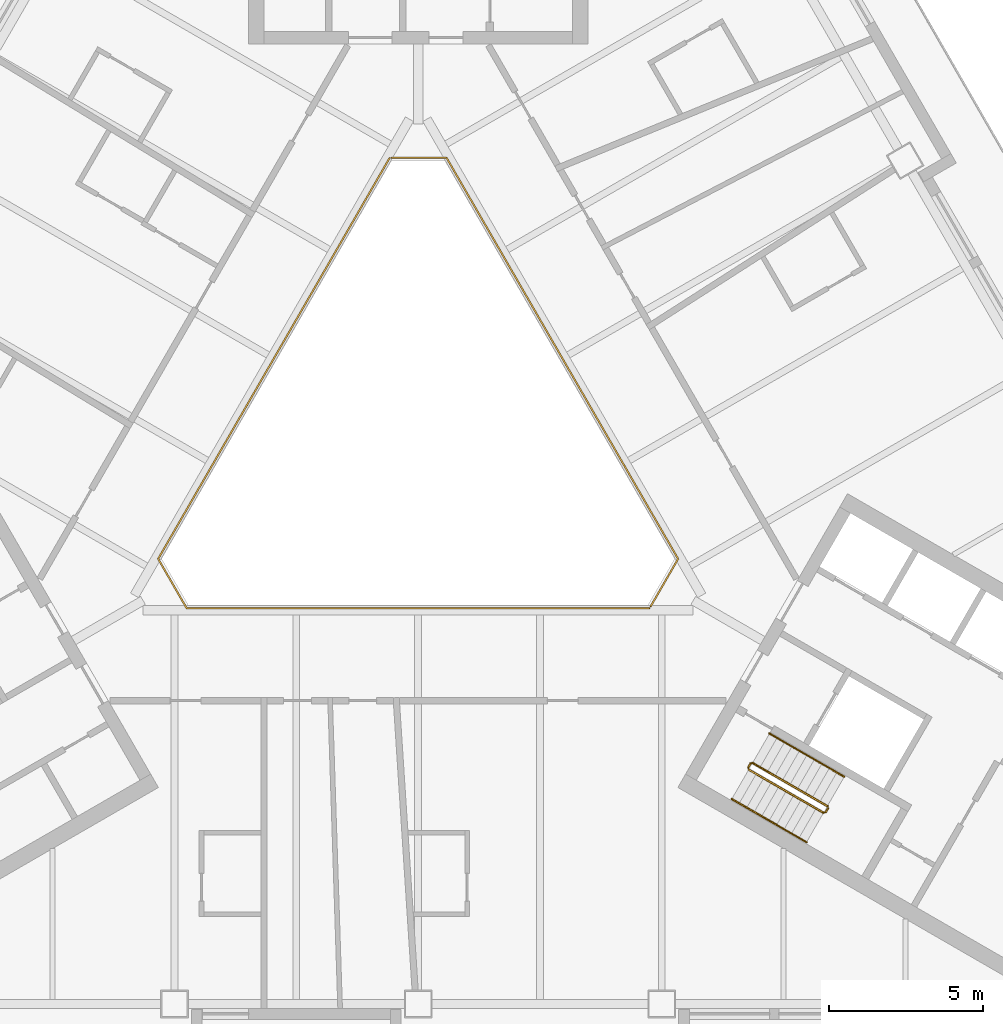
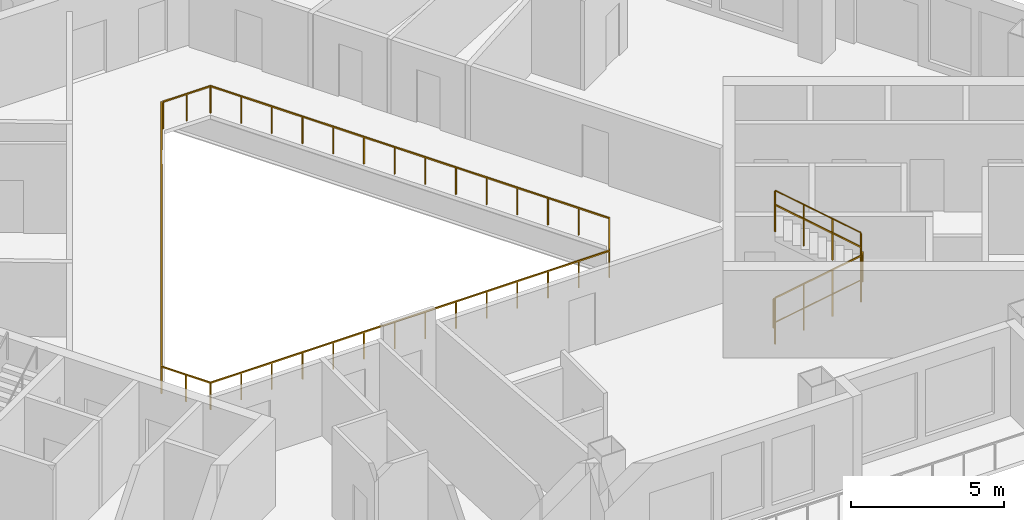
# One storey, part 11 of 13: 8 railings.
"""IFC4 building model written with IfcOpenShell, lengths in metres."""

from ifc_helpers import new_model, si_unit, direction, frame, origin, origin_2d, place, context, subcontext, project, spatial, rectangle, circle, extrude, material, type_object, element, save


model = new_model("IFC4")

# Units and contexts
model_context = context("Model", 3, precision=1e-05, world=origin(), true_north=direction((0.0, 1.0)))
body_context = subcontext(model_context, "Body", "Model", "MODEL_VIEW")
ifc_project = project(units=[si_unit("LENGTHUNIT", "METRE"), si_unit("AREAUNIT", "SQUARE_METRE"), si_unit("VOLUMEUNIT", "CUBIC_METRE"), si_unit("PLANEANGLEUNIT", "RADIAN"), si_unit("MASSUNIT", "GRAM", prefix="KILO")], contexts=[model_context])

# Site, building, storey
site_placement = place(None, origin())
site = spatial("IfcSite", under=ifc_project, at=site_placement, CompositionType="ELEMENT")
building_placement = place(site_placement, origin())
building = spatial("IfcBuilding", under=site, at=building_placement, Name="Apuvela Tower Hotel", CompositionType="ELEMENT")
storey_placement = place(building_placement, frame((0.0, 0.0, 102.0)))
storey = spatial("IfcBuildingStorey", under=building, at=storey_placement, Name="L23", CompositionType="ELEMENT", Elevation=102.0)

# Railings
ifc_material_1 = material(Name="Steel S275 balustrade", Category="steel")
railing_type_1 = type_object("IfcRailingType", Name="COR-GUARD-1100", PredefinedType="GUARDRAIL", material=ifc_material_1)
railing_1_placement = place(storey_placement, frame((10.718994140625, -10.63427734375, 0.168212890625)))
element("IfcRailing", 1, at=railing_1_placement, inside=storey, type_object=railing_type_1, Name="L23 ST3 stair guard 1", PredefinedType="GUARDRAIL", context=body_context, shape_type="SweptSolid", body=[
    extrude(rectangle(XDim=0.048095703125, YDim=0.048095703125, at=origin_2d()), frame((0.0, 0.0, 1.076171875), z_axis=(0.742390482028, -0.42860119049, 0.514934356695), x_axis=(0.49998411664, 0.866034573852, 0.0)), (0.0, 0.0, 1.0), 3.26611328125),
    extrude(rectangle(XDim=0.0419921875, YDim=0.0419921875, at=origin_2d()), origin(), (0.0, 0.0, 1.0), 1.052001953125),
    extrude(rectangle(XDim=0.0419921875, YDim=0.0419921875, at=origin_2d()), frame((0.808349609375, -0.466552734375, 0.560546875)), (0.0, 0.0, 1.0), 1.052001953125),
    extrude(rectangle(XDim=0.0419921875, YDim=0.0419921875, at=origin_2d()), frame((1.616455078125, -0.933349609375, 1.121337890625)), (0.0, 0.0, 1.0), 1.052001953125),
    extrude(rectangle(XDim=0.0419921875, YDim=0.0419921875, at=origin_2d()), frame((2.4248046875, -1.39990234375, 1.681884765625)), (0.0, 0.0, 1.0), 1.052001953125),
])
railing_2_placement = place(storey_placement, frame((13.212158203125, -12.015869140625, 1.85009765625)))
element("IfcRailing", 2, at=railing_2_placement, inside=storey, type_object=railing_type_1, Name="L23 ST3 stair guard 2", PredefinedType="GUARDRAIL", context=body_context, shape_type="SweptSolid", body=[
    extrude(rectangle(XDim=0.048095703125, YDim=0.048095703125, at=origin_2d()), frame((0.0, 0.0, 1.076171875), z_axis=(0.499816412211, 0.866131372301, 0.0), x_axis=(-0.866131372301, 0.499816412211, 0.0)), (0.0, 0.0, 1.0), 0.14990234375),
    extrude(rectangle(XDim=0.0419921875, YDim=0.0419921875, at=origin_2d()), origin(), (0.0, 0.0, 1.0), 1.052001953125),
    extrude(rectangle(XDim=0.0419921875, YDim=0.0419921875, at=origin_2d()), frame((0.074951171875, 0.1298828125, 0.0)), (0.0, 0.0, 1.0), 1.052001953125),
])
railing_3_placement = place(storey_placement, frame((13.268798828125, -11.817626953125, 2.01806640625)))
element("IfcRailing", 3, at=railing_3_placement, inside=storey, type_object=railing_type_1, Name="L23 ST3 stair guard 3", PredefinedType="GUARDRAIL", context=body_context, shape_type="SweptSolid", body=[
    extrude(rectangle(XDim=0.048095703125, YDim=0.048095703125, at=origin_2d()), frame((0.0, 0.0, 1.076171875), z_axis=(-0.742390482028, 0.42860119049, 0.514934356695), x_axis=(-0.49998411664, -0.866034573852, 0.0)), (0.0, 0.0, 1.0), 3.26611328125),
    extrude(rectangle(XDim=0.0419921875, YDim=0.0419921875, at=origin_2d()), origin(), (0.0, 0.0, 1.0), 1.052001953125),
    extrude(rectangle(XDim=0.0419921875, YDim=0.0419921875, at=origin_2d()), frame((-0.808349609375, 0.466552734375, 0.560546875)), (0.0, 0.0, 1.0), 1.052001953125),
    extrude(rectangle(XDim=0.0419921875, YDim=0.0419921875, at=origin_2d()), frame((-1.616455078125, 0.933349609375, 1.121337890625)), (0.0, 0.0, 1.0), 1.052001953125),
    extrude(rectangle(XDim=0.0419921875, YDim=0.0419921875, at=origin_2d()), frame((-2.4248046875, 1.39990234375, 1.681884765625)), (0.0, 0.0, 1.0), 1.052001953125),
])
railing_4_placement = place(storey_placement, frame((10.70068359375, -10.56591796875, 0.0)))
element("IfcRailing", 4, at=railing_4_placement, inside=storey, type_object=railing_type_1, Name="L23 ST3 stair guard 4", PredefinedType="GUARDRAIL", context=body_context, shape_type="SweptSolid", body=[
    extrude(rectangle(XDim=0.048095703125, YDim=0.048095703125, at=origin_2d()), frame((0.0, 0.0, 1.076171875), z_axis=(0.499816412211, 0.866131372301, 0.0), x_axis=(-0.866131372301, 0.499816412211, 0.0)), (0.0, 0.0, 1.0), 0.14990234375),
    extrude(rectangle(XDim=0.0419921875, YDim=0.0419921875, at=origin_2d()), origin(), (0.0, 0.0, 1.0), 1.052001953125),
    extrude(rectangle(XDim=0.0419921875, YDim=0.0419921875, at=origin_2d()), frame((0.074951171875, 0.1298828125, 0.0)), (0.0, 0.0, 1.0), 1.052001953125),
])
ifc_material_2 = material(Name="Stainless steel 316 handrail", Category="steel")
railing_type_2 = type_object("IfcRailingType", Name="COR-HANDRAIL-900", PredefinedType="HANDRAIL", material=ifc_material_2)
railing_5_placement = place(storey_placement, frame((10.1689453125, -11.5869140625, 0.168212890625)))
element("IfcRailing", 5, at=railing_5_placement, inside=storey, type_object=railing_type_2, Name="L23 ST3 stair handrail 1", PredefinedType="HANDRAIL", context=body_context, shape_type="SweptSolid", body=[
    extrude(circle(Radius=0.02392578125, at=origin_2d()), frame((0.0, 0.0, 0.8759765625), z_axis=(0.742390482028, -0.42860119049, 0.514934356695), x_axis=(0.49998411664, 0.866034573852, 0.0)), (0.0, 0.0, 1.0), 3.26611328125),
    extrude(rectangle(XDim=0.0419921875, YDim=0.0419921875, at=origin_2d()), origin(), (0.0, 0.0, 1.0), 0.851806640625),
    extrude(rectangle(XDim=0.0419921875, YDim=0.0419921875, at=origin_2d()), frame((0.808349609375, -0.466552734375, 0.560546875)), (0.0, 0.0, 1.0), 0.851806640625),
    extrude(rectangle(XDim=0.0419921875, YDim=0.0419921875, at=origin_2d()), frame((1.616455078125, -0.933349609375, 1.121337890625)), (0.0, 0.0, 1.0), 0.851806640625),
    extrude(rectangle(XDim=0.0419921875, YDim=0.0419921875, at=origin_2d()), frame((2.4248046875, -1.39990234375, 1.681884765625)), (0.0, 0.0, 1.0), 0.851806640625),
])
railing_6_placement = place(storey_placement, frame((13.81884765625, -10.864990234375, 2.01806640625)))
element("IfcRailing", 6, at=railing_6_placement, inside=storey, type_object=railing_type_2, Name="L23 ST3 stair handrail 2", PredefinedType="HANDRAIL", context=body_context, shape_type="SweptSolid", body=[
    extrude(circle(Radius=0.02392578125, at=origin_2d()), frame((0.0, 0.0, 0.8759765625), z_axis=(-0.742390482028, 0.42860119049, 0.514934356695), x_axis=(-0.49998411664, -0.866034573852, 0.0)), (0.0, 0.0, 1.0), 3.26611328125),
    extrude(rectangle(XDim=0.0419921875, YDim=0.0419921875, at=origin_2d()), origin(), (0.0, 0.0, 1.0), 0.851806640625),
    extrude(rectangle(XDim=0.0419921875, YDim=0.0419921875, at=origin_2d()), frame((-0.808349609375, 0.466552734375, 0.560546875)), (0.0, 0.0, 1.0), 0.851806640625),
    extrude(rectangle(XDim=0.0419921875, YDim=0.0419921875, at=origin_2d()), frame((-1.616455078125, 0.933349609375, 1.121337890625)), (0.0, 0.0, 1.0), 0.851806640625),
    extrude(rectangle(XDim=0.0419921875, YDim=0.0419921875, at=origin_2d()), frame((-2.4248046875, 1.39990234375, 1.681884765625)), (0.0, 0.0, 1.0), 0.851806640625),
])
ifc_material_3 = material(Name="Stainless steel 316 rail with laminated glass infill", Category="steel")
railing_type_3 = type_object("IfcRailingType", Name="ENV-GUARD-1100", PredefinedType="GUARDRAIL", material=ifc_material_3)
railing_7_placement = place(storey_placement, frame((-0.923828125, 9.199951171875, 0.0)))
element("IfcRailing", 7, at=railing_7_placement, inside=storey, type_object=railing_type_3, Name="Atrium void guard A L23", PredefinedType="GUARDRAIL", context=body_context, shape_type="SweptSolid", body=[
    extrude(rectangle(XDim=0.050048828125, YDim=0.050048828125, at=origin_2d()), frame((0.0, 0.0, 1.0751953125), z_axis=(-0.499990886379, -0.866030665472, 0.0), x_axis=(0.866030665472, -0.499990886379, 0.0)), (0.0, 0.0, 1.0), 15.010986328125),
    extrude(rectangle(XDim=0.050048828125, YDim=0.050048828125, at=origin_2d()), frame((-7.50537109375, -13.0, 1.0751953125), z_axis=(0.499962699187, -0.866046938348, 0.0), x_axis=(0.866046938348, 0.499962699187, 0.0)), (0.0, 0.0, 1.0), 1.847412109375),
    extrude(rectangle(XDim=0.050048828125, YDim=0.050048828125, at=origin_2d()), frame((-6.581787109375, -14.599853515625, 1.0751953125), z_axis=(1.0, 0.0, 0.0), x_axis=(0.0, 1.0, 0.0)), (0.0, 0.0, 1.0), 15.01123046875),
    extrude(rectangle(XDim=0.0400390625, YDim=0.0400390625, at=origin_2d()), origin(), (0.0, 0.0, 1.0), 1.050048828125),
    extrude(rectangle(XDim=0.0400390625, YDim=0.0400390625, at=origin_2d()), frame((-0.577392578125, -1.0, 0.0)), (0.0, 0.0, 1.0), 1.050048828125),
    extrude(rectangle(XDim=0.0400390625, YDim=0.0400390625, at=origin_2d()), frame((-1.15478515625, -2.0, 0.0)), (0.0, 0.0, 1.0), 1.050048828125),
    extrude(rectangle(XDim=0.0400390625, YDim=0.0400390625, at=origin_2d()), frame((-1.73193359375, -3.0, 0.0)), (0.0, 0.0, 1.0), 1.050048828125),
    extrude(rectangle(XDim=0.0400390625, YDim=0.0400390625, at=origin_2d()), frame((-2.309326171875, -4.0, 0.0)), (0.0, 0.0, 1.0), 1.050048828125),
    extrude(rectangle(XDim=0.0400390625, YDim=0.0400390625, at=origin_2d()), frame((-2.88671875, -5.0, 0.0)), (0.0, 0.0, 1.0), 1.050048828125),
    extrude(rectangle(XDim=0.0400390625, YDim=0.0400390625, at=origin_2d()), frame((-3.464111328125, -6.0, 0.0)), (0.0, 0.0, 1.0), 1.050048828125),
    extrude(rectangle(XDim=0.0400390625, YDim=0.0400390625, at=origin_2d()), frame((-4.041259765625, -7.0, 0.0)), (0.0, 0.0, 1.0), 1.050048828125),
    extrude(rectangle(XDim=0.0400390625, YDim=0.0400390625, at=origin_2d()), frame((-4.61865234375, -8.0, 0.0)), (0.0, 0.0, 1.0), 1.050048828125),
    extrude(rectangle(XDim=0.0400390625, YDim=0.0400390625, at=origin_2d()), frame((-5.196044921875, -9.0, 0.0)), (0.0, 0.0, 1.0), 1.050048828125),
    extrude(rectangle(XDim=0.0400390625, YDim=0.0400390625, at=origin_2d()), frame((-5.7734375, -10.0, 0.0)), (0.0, 0.0, 1.0), 1.050048828125),
    extrude(rectangle(XDim=0.0400390625, YDim=0.0400390625, at=origin_2d()), frame((-6.3505859375, -11.0, 0.0)), (0.0, 0.0, 1.0), 1.050048828125),
    extrude(rectangle(XDim=0.0400390625, YDim=0.0400390625, at=origin_2d()), frame((-6.927978515625, -12.0, 0.0)), (0.0, 0.0, 1.0), 1.050048828125),
    extrude(rectangle(XDim=0.0400390625, YDim=0.0400390625, at=origin_2d()), frame((-7.50537109375, -13.0, 0.0)), (0.0, 0.0, 1.0), 1.050048828125),
    extrude(rectangle(XDim=0.0400390625, YDim=0.0400390625, at=origin_2d()), frame((-7.04345703125, -13.7998046875, 0.0)), (0.0, 0.0, 1.0), 1.050048828125),
    extrude(rectangle(XDim=0.0400390625, YDim=0.0400390625, at=origin_2d()), frame((-6.581787109375, -14.599853515625, 0.0)), (0.0, 0.0, 1.0), 1.050048828125),
    extrude(rectangle(XDim=0.0400390625, YDim=0.0400390625, at=origin_2d()), frame((-5.427001953125, -14.599853515625, 0.0)), (0.0, 0.0, 1.0), 1.050048828125),
    extrude(rectangle(XDim=0.0400390625, YDim=0.0400390625, at=origin_2d()), frame((-4.2724609375, -14.599853515625, 0.0)), (0.0, 0.0, 1.0), 1.050048828125),
    extrude(rectangle(XDim=0.0400390625, YDim=0.0400390625, at=origin_2d()), frame((-3.11767578125, -14.599853515625, 0.0)), (0.0, 0.0, 1.0), 1.050048828125),
    extrude(rectangle(XDim=0.0400390625, YDim=0.0400390625, at=origin_2d()), frame((-1.962890625, -14.599853515625, 0.0)), (0.0, 0.0, 1.0), 1.050048828125),
    extrude(rectangle(XDim=0.0400390625, YDim=0.0400390625, at=origin_2d()), frame((-0.808349609375, -14.599853515625, 0.0)), (0.0, 0.0, 1.0), 1.050048828125),
    extrude(rectangle(XDim=0.0400390625, YDim=0.0400390625, at=origin_2d()), frame((0.346435546875, -14.599853515625, 0.0)), (0.0, 0.0, 1.0), 1.050048828125),
    extrude(rectangle(XDim=0.0400390625, YDim=0.0400390625, at=origin_2d()), frame((1.501220703125, -14.599853515625, 0.0)), (0.0, 0.0, 1.0), 1.050048828125),
    extrude(rectangle(XDim=0.0400390625, YDim=0.0400390625, at=origin_2d()), frame((2.656005859375, -14.599853515625, 0.0)), (0.0, 0.0, 1.0), 1.050048828125),
    extrude(rectangle(XDim=0.0400390625, YDim=0.0400390625, at=origin_2d()), frame((3.810546875, -14.599853515625, 0.0)), (0.0, 0.0, 1.0), 1.050048828125),
    extrude(rectangle(XDim=0.0400390625, YDim=0.0400390625, at=origin_2d()), frame((4.96533203125, -14.599853515625, 0.0)), (0.0, 0.0, 1.0), 1.050048828125),
    extrude(rectangle(XDim=0.0400390625, YDim=0.0400390625, at=origin_2d()), frame((6.1201171875, -14.599853515625, 0.0)), (0.0, 0.0, 1.0), 1.050048828125),
    extrude(rectangle(XDim=0.0400390625, YDim=0.0400390625, at=origin_2d()), frame((7.274658203125, -14.599853515625, 0.0)), (0.0, 0.0, 1.0), 1.050048828125),
    extrude(rectangle(XDim=0.0400390625, YDim=0.0400390625, at=origin_2d()), frame((8.429443359375, -14.599853515625, 0.0)), (0.0, 0.0, 1.0), 1.050048828125),
])
railing_8_placement = place(storey_placement, frame((7.53564453125, -5.347900390625, 0.0)))
element("IfcRailing", 8, at=railing_8_placement, inside=storey, type_object=railing_type_3, Name="Atrium void guard B L23", PredefinedType="GUARDRAIL", context=body_context, shape_type="SweptSolid", body=[
    extrude(rectangle(XDim=0.050048828125, YDim=0.050048828125, at=origin_2d()), frame((0.0, 0.0, 1.0751953125), z_axis=(0.499958946799, 0.866049104564, 0.0), x_axis=(-0.866049104564, 0.499958946799, 0.0)), (0.0, 0.0, 1.0), 1.787353515625),
    extrude(rectangle(XDim=0.050048828125, YDim=0.050048828125, at=origin_2d()), frame((0.8935546875, 1.5478515625, 1.0751953125), z_axis=(-0.499990886379, 0.866030665472, 0.0), x_axis=(-0.866030665472, -0.499990886379, 0.0)), (0.0, 0.0, 1.0), 15.010986328125),
    extrude(rectangle(XDim=0.050048828125, YDim=0.050048828125, at=origin_2d()), frame((-6.61181640625, 14.5478515625, 1.0751953125), z_axis=(-1.0, 0.0, 0.0), x_axis=(0.0, -1.0, 0.0)), (0.0, 0.0, 1.0), 1.78759765625),
    extrude(rectangle(XDim=0.0400390625, YDim=0.0400390625, at=origin_2d()), origin(), (0.0, 0.0, 1.0), 1.050048828125),
    extrude(rectangle(XDim=0.0400390625, YDim=0.0400390625, at=origin_2d()), frame((0.44677734375, 0.77392578125, 0.0)), (0.0, 0.0, 1.0), 1.050048828125),
    extrude(rectangle(XDim=0.0400390625, YDim=0.0400390625, at=origin_2d()), frame((0.8935546875, 1.5478515625, 0.0)), (0.0, 0.0, 1.0), 1.050048828125),
    extrude(rectangle(XDim=0.0400390625, YDim=0.0400390625, at=origin_2d()), frame((0.316162109375, 2.5478515625, 0.0)), (0.0, 0.0, 1.0), 1.050048828125),
    extrude(rectangle(XDim=0.0400390625, YDim=0.0400390625, at=origin_2d()), frame((-0.26123046875, 3.5478515625, 0.0)), (0.0, 0.0, 1.0), 1.050048828125),
    extrude(rectangle(XDim=0.0400390625, YDim=0.0400390625, at=origin_2d()), frame((-0.83837890625, 4.5478515625, 0.0)), (0.0, 0.0, 1.0), 1.050048828125),
    extrude(rectangle(XDim=0.0400390625, YDim=0.0400390625, at=origin_2d()), frame((-1.415771484375, 5.5478515625, 0.0)), (0.0, 0.0, 1.0), 1.050048828125),
    extrude(rectangle(XDim=0.0400390625, YDim=0.0400390625, at=origin_2d()), frame((-1.9931640625, 6.5478515625, 0.0)), (0.0, 0.0, 1.0), 1.050048828125),
    extrude(rectangle(XDim=0.0400390625, YDim=0.0400390625, at=origin_2d()), frame((-2.570556640625, 7.5478515625, 0.0)), (0.0, 0.0, 1.0), 1.050048828125),
    extrude(rectangle(XDim=0.0400390625, YDim=0.0400390625, at=origin_2d()), frame((-3.147705078125, 8.5478515625, 0.0)), (0.0, 0.0, 1.0), 1.050048828125),
    extrude(rectangle(XDim=0.0400390625, YDim=0.0400390625, at=origin_2d()), frame((-3.72509765625, 9.5478515625, 0.0)), (0.0, 0.0, 1.0), 1.050048828125),
    extrude(rectangle(XDim=0.0400390625, YDim=0.0400390625, at=origin_2d()), frame((-4.302490234375, 10.5478515625, 0.0)), (0.0, 0.0, 1.0), 1.050048828125),
    extrude(rectangle(XDim=0.0400390625, YDim=0.0400390625, at=origin_2d()), frame((-4.8798828125, 11.5478515625, 0.0)), (0.0, 0.0, 1.0), 1.050048828125),
    extrude(rectangle(XDim=0.0400390625, YDim=0.0400390625, at=origin_2d()), frame((-5.45703125, 12.5478515625, 0.0)), (0.0, 0.0, 1.0), 1.050048828125),
    extrude(rectangle(XDim=0.0400390625, YDim=0.0400390625, at=origin_2d()), frame((-6.034423828125, 13.5478515625, 0.0)), (0.0, 0.0, 1.0), 1.050048828125),
    extrude(rectangle(XDim=0.0400390625, YDim=0.0400390625, at=origin_2d()), frame((-6.61181640625, 14.5478515625, 0.0)), (0.0, 0.0, 1.0), 1.050048828125),
    extrude(rectangle(XDim=0.0400390625, YDim=0.0400390625, at=origin_2d()), frame((-7.505615234375, 14.5478515625, 0.0)), (0.0, 0.0, 1.0), 1.050048828125),
    extrude(rectangle(XDim=0.0400390625, YDim=0.0400390625, at=origin_2d()), frame((-8.3994140625, 14.5478515625, 0.0)), (0.0, 0.0, 1.0), 1.050048828125),
])

save(model, "model.ifc")
